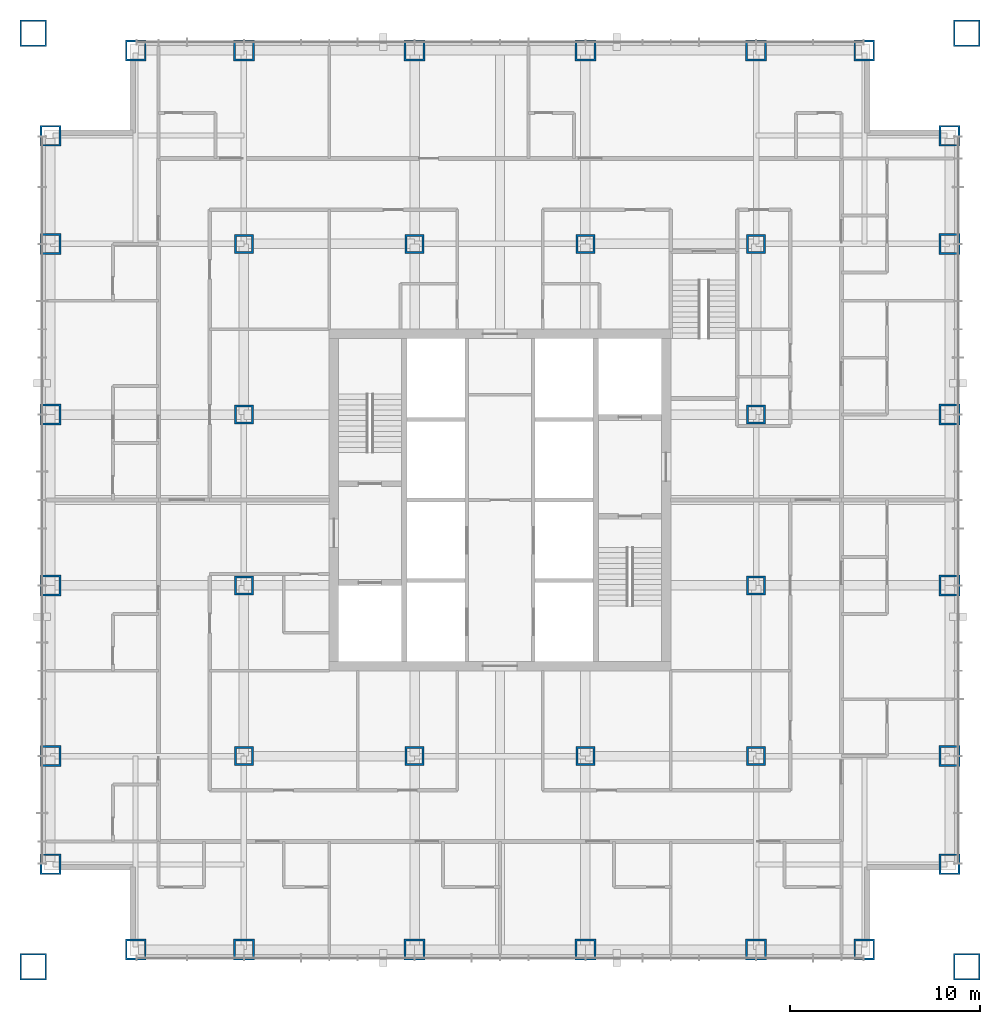
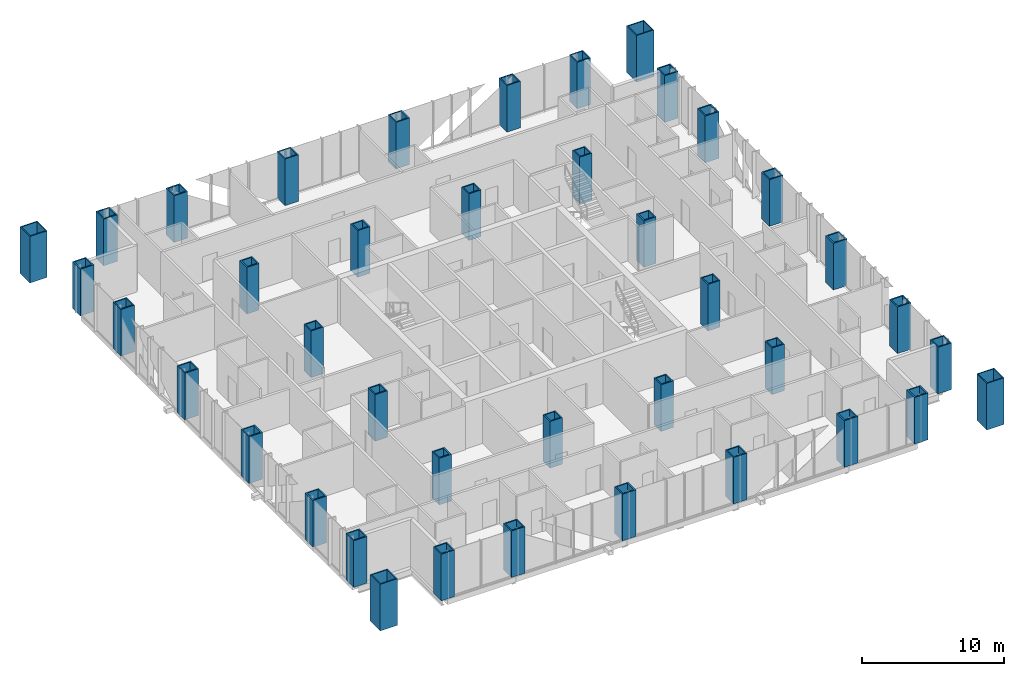
# One storey, part 1 of 13: 40 columns.
"""IFC4 building model written with IfcOpenShell, lengths in metres."""

from ifc_helpers import new_model, si_unit, direction, frame, origin, origin_2d, place, context, subcontext, project, spatial, hollow_rectangle, extrude, material, material_profile, profile_set, type_object, element, save


model = new_model("IFC4")

# Units and contexts
model_context = context("Model", 3, precision=1e-05, world=origin(), true_north=direction((0.0, 1.0)))
body_context = subcontext(model_context, "Body", "Model", "MODEL_VIEW")
ifc_project = project(units=[si_unit("LENGTHUNIT", "METRE"), si_unit("AREAUNIT", "SQUARE_METRE"), si_unit("VOLUMEUNIT", "CUBIC_METRE"), si_unit("PLANEANGLEUNIT", "RADIAN"), si_unit("MASSUNIT", "GRAM", prefix="KILO")], contexts=[model_context])

# Site, building, storey
site_placement = place(None, origin())
site = spatial("IfcSite", under=ifc_project, at=site_placement, CompositionType="ELEMENT")
building_placement = place(site_placement, origin())
building = spatial("IfcBuilding", under=site, at=building_placement, Name="Malebo Sky Hospital", CompositionType="ELEMENT")
storey_placement = place(building_placement, frame((0.0, 0.0, 160.0)))
storey = spatial("IfcBuildingStorey", under=building, at=storey_placement, Name="L38", CompositionType="ELEMENT", Elevation=160.0)

# Columns
ifc_material = material(Name="Steel S460", Category="steel")
ifc_material_profile_1 = material_profile(ifc_material, hollow_rectangle(XDim=1.0, YDim=1.0, WallThickness=0.10009765625, at=origin_2d()), Name="BOX 1000x1000x100")
ifc_profile_set_1 = profile_set([ifc_material_profile_1], Name="Steel S460")
column_type_1 = type_object("IfcColumnType", Name="INNER COLUMN BOX 1000x1000x100", PredefinedType="COLUMN", material=ifc_profile_set_1)
for number, where, z_axis, x_axis, name in (
    (1, (46.5, 48.5, 0.0), (0.0, 0.0, 1.0), (1.0, 0.0, 0.0), "Column IC9 L38"),
    (2, (73.5, 48.5, 0.0), (0.0, 0.0, 1.0), (1.0, 0.0, 0.0), "Column IC9 L38"),
    (3, (73.5, 75.5, 0.0), (0.0, 0.0, 1.0), (1.0, 0.0, 0.0), "Column IC9 L38"),
    (4, (46.5, 75.5, 0.0), (0.0, 0.0, 1.0), (1.0, 0.0, 0.0), "Column IC9 L38"),
    (5, (55.5, 48.5, 0.0), (0.0, 0.0, 1.0), (1.0, 0.0, 0.0), "Column IC9 L38"),
    (6, (64.5, 48.5, 0.0), (0.0, 0.0, 1.0), (1.0, 0.0, 0.0), "Column IC9 L38"),
    (7, (55.5, 75.5, 0.0), (0.0, 0.0, 1.0), (1.0, 0.0, 0.0), "Column IC9 L38"),
    (8, (64.5, 75.5, 0.0), (0.0, 0.0, 1.0), (1.0, 0.0, 0.0), "Column IC9 L38"),
    (9, (46.5, 57.5, 0.0), (0.0, 0.0, 1.0), (1.0, 0.0, 0.0), "Column IC9 L38"),
    (10, (46.5, 66.5, 0.0), (0.0, 0.0, 1.0), (1.0, 0.0, 0.0), "Column IC9 L38"),
    (11, (73.5, 57.5, 0.0), (0.0, 0.0, 1.0), (1.0, 0.0, 0.0), "Column IC9 L38"),
    (12, (73.5, 66.5, 0.0), (0.0, 0.0, 1.0), (1.0, 0.0, 0.0), "Column IC9 L38"),
):
    element("IfcColumn", number, at=place(storey_placement, frame(where, z_axis=z_axis, x_axis=x_axis)), inside=storey, type_object=column_type_1, Name=name, PredefinedType="COLUMN", context=body_context, shape_type="SweptSolid", body=[
        extrude(hollow_rectangle(XDim=1.0, YDim=1.0, WallThickness=0.10009765625, at=origin_2d()), origin(), (0.0, 0.0, 1.0), 4.0),
    ])
ifc_material_profile_2 = material_profile(ifc_material, hollow_rectangle(XDim=1.39990234375, YDim=1.39990234375, WallThickness=0.080078125, at=origin_2d()), Name="BOX 1400x1400x80")
ifc_profile_set_2 = profile_set([ifc_material_profile_2], Name="Steel S460")
column_type_2 = type_object("IfcColumnType", Name="MEGA COLUMN BOX 1400x1400x80", PredefinedType="COLUMN", material=ifc_profile_set_2)
for number, where, z_axis, x_axis, name in (
    (13, (35.39990234375, 37.39990234375, 0.0), (0.0, 0.0, 1.0), (1.0, 0.0, 0.0), "Mega column SW L38"),
    (14, (84.60009765625, 37.39990234375, 0.0), (0.0, 0.0, 1.0), (1.0, 0.0, 0.0), "Mega column SE L38"),
    (15, (84.60009765625, 86.60009765625, 0.0), (0.0, 0.0, 1.0), (1.0, 0.0, 0.0), "Mega column NE L38"),
    (16, (35.39990234375, 86.60009765625, 0.0), (0.0, 0.0, 1.0), (1.0, 0.0, 0.0), "Mega column NW L38"),
):
    element("IfcColumn", number, at=place(storey_placement, frame(where, z_axis=z_axis, x_axis=x_axis)), inside=storey, type_object=column_type_2, Name=name, PredefinedType="COLUMN", context=body_context, shape_type="SweptSolid", body=[
        extrude(hollow_rectangle(XDim=1.39990234375, YDim=1.39990234375, WallThickness=0.080078125, at=origin_2d()), origin(), (0.0, 0.0, 1.0), 4.0),
    ])
ifc_material_profile_3 = material_profile(ifc_material, hollow_rectangle(XDim=1.10009765625, YDim=1.10009765625, WallThickness=0.10009765625, at=origin_2d()), Name="BOX 1100x1100x100")
ifc_profile_set_3 = profile_set([ifc_material_profile_3], Name="Steel S460")
column_type_3 = type_object("IfcColumnType", Name="PERIMETER COLUMN BOX 1100x1100x100", PredefinedType="COLUMN", material=ifc_profile_set_3)
for number, where, z_axis, x_axis, name in (
    (17, (40.800048828125, 38.300048828125, 0.0), (0.0, 0.0, 1.0), (1.0, 0.0, 0.0), "Column PC10 L38"),
    (18, (40.800048828125, 85.699951171875, 0.0), (0.0, 0.0, 1.0), (1.0, 0.0, 0.0), "Column PC10 L38"),
    (19, (36.300048828125, 42.800048828125, 0.0), (0.0, 0.0, 1.0), (1.0, 0.0, 0.0), "Column PC10 L38"),
    (20, (83.699951171875, 42.800048828125, 0.0), (0.0, 0.0, 1.0), (1.0, 0.0, 0.0), "Column PC10 L38"),
    (21, (46.5, 38.300048828125, 0.0), (0.0, 0.0, 1.0), (1.0, 0.0, 0.0), "Column PC10 L38"),
    (22, (46.5, 85.699951171875, 0.0), (0.0, 0.0, 1.0), (1.0, 0.0, 0.0), "Column PC10 L38"),
    (23, (36.300048828125, 48.5, 0.0), (0.0, 0.0, 1.0), (1.0, 0.0, 0.0), "Column PC10 L38"),
    (24, (83.699951171875, 48.5, 0.0), (0.0, 0.0, 1.0), (1.0, 0.0, 0.0), "Column PC10 L38"),
    (25, (55.5, 38.300048828125, 0.0), (0.0, 0.0, 1.0), (1.0, 0.0, 0.0), "Column PC10 L38"),
    (26, (55.5, 85.699951171875, 0.0), (0.0, 0.0, 1.0), (1.0, 0.0, 0.0), "Column PC10 L38"),
    (27, (36.300048828125, 57.5, 0.0), (0.0, 0.0, 1.0), (1.0, 0.0, 0.0), "Column PC10 L38"),
    (28, (83.699951171875, 57.5, 0.0), (0.0, 0.0, 1.0), (1.0, 0.0, 0.0), "Column PC10 L38"),
    (29, (64.5, 38.300048828125, 0.0), (0.0, 0.0, 1.0), (1.0, 0.0, 0.0), "Column PC10 L38"),
    (30, (64.5, 85.699951171875, 0.0), (0.0, 0.0, 1.0), (1.0, 0.0, 0.0), "Column PC10 L38"),
    (31, (36.300048828125, 66.5, 0.0), (0.0, 0.0, 1.0), (1.0, 0.0, 0.0), "Column PC10 L38"),
    (32, (83.699951171875, 66.5, 0.0), (0.0, 0.0, 1.0), (1.0, 0.0, 0.0), "Column PC10 L38"),
    (33, (73.5, 38.300048828125, 0.0), (0.0, 0.0, 1.0), (1.0, 0.0, 0.0), "Column PC10 L38"),
    (34, (73.5, 85.699951171875, 0.0), (0.0, 0.0, 1.0), (1.0, 0.0, 0.0), "Column PC10 L38"),
    (35, (36.300048828125, 75.5, 0.0), (0.0, 0.0, 1.0), (1.0, 0.0, 0.0), "Column PC10 L38"),
    (36, (83.699951171875, 75.5, 0.0), (0.0, 0.0, 1.0), (1.0, 0.0, 0.0), "Column PC10 L38"),
    (37, (79.199951171875, 38.300048828125, 0.0), (0.0, 0.0, 1.0), (1.0, 0.0, 0.0), "Column PC10 L38"),
    (38, (79.199951171875, 85.699951171875, 0.0), (0.0, 0.0, 1.0), (1.0, 0.0, 0.0), "Column PC10 L38"),
    (39, (36.300048828125, 81.199951171875, 0.0), (0.0, 0.0, 1.0), (1.0, 0.0, 0.0), "Column PC10 L38"),
    (40, (83.699951171875, 81.199951171875, 0.0), (0.0, 0.0, 1.0), (1.0, 0.0, 0.0), "Column PC10 L38"),
):
    element("IfcColumn", number, at=place(storey_placement, frame(where, z_axis=z_axis, x_axis=x_axis)), inside=storey, type_object=column_type_3, Name=name, PredefinedType="COLUMN", context=body_context, shape_type="SweptSolid", body=[
        extrude(hollow_rectangle(XDim=1.10009765625, YDim=1.10009765625, WallThickness=0.10009765625, at=origin_2d()), origin(), (0.0, 0.0, 1.0), 4.0),
    ])

save(model, "model.ifc")
